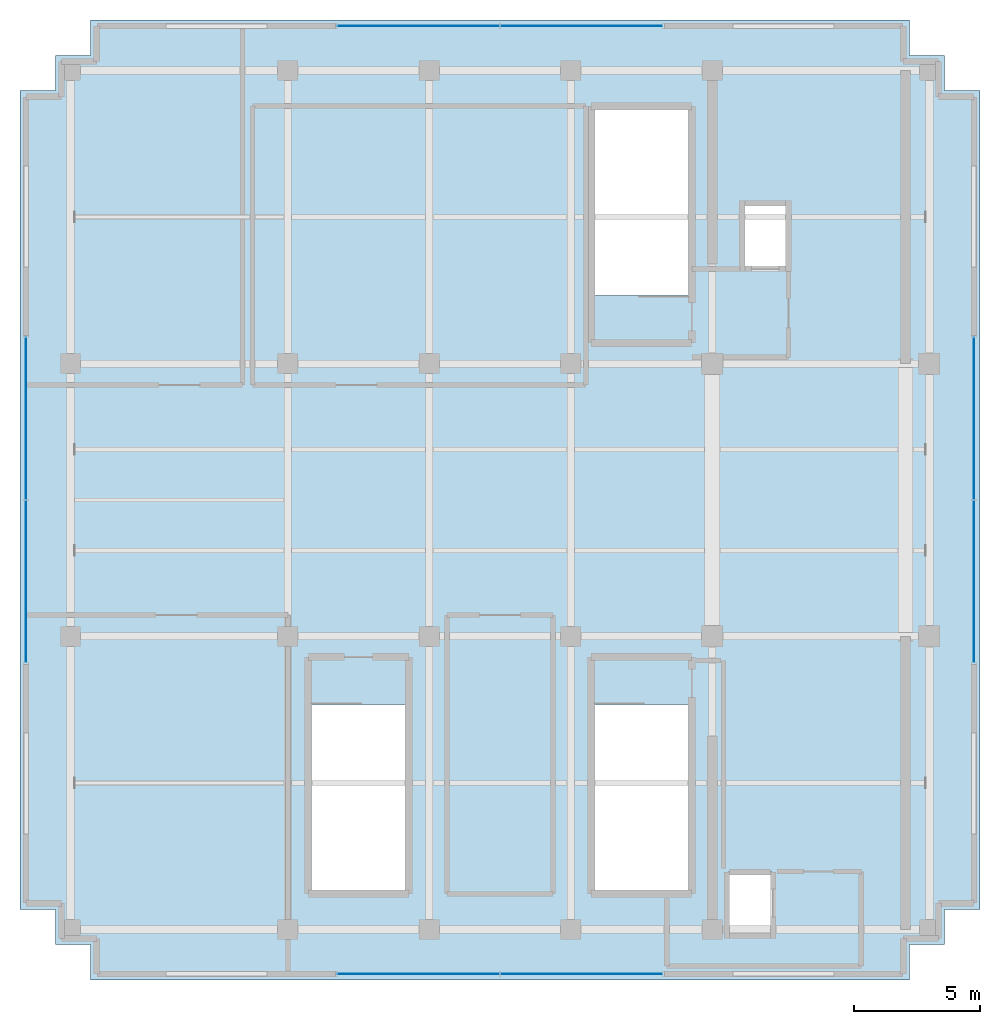
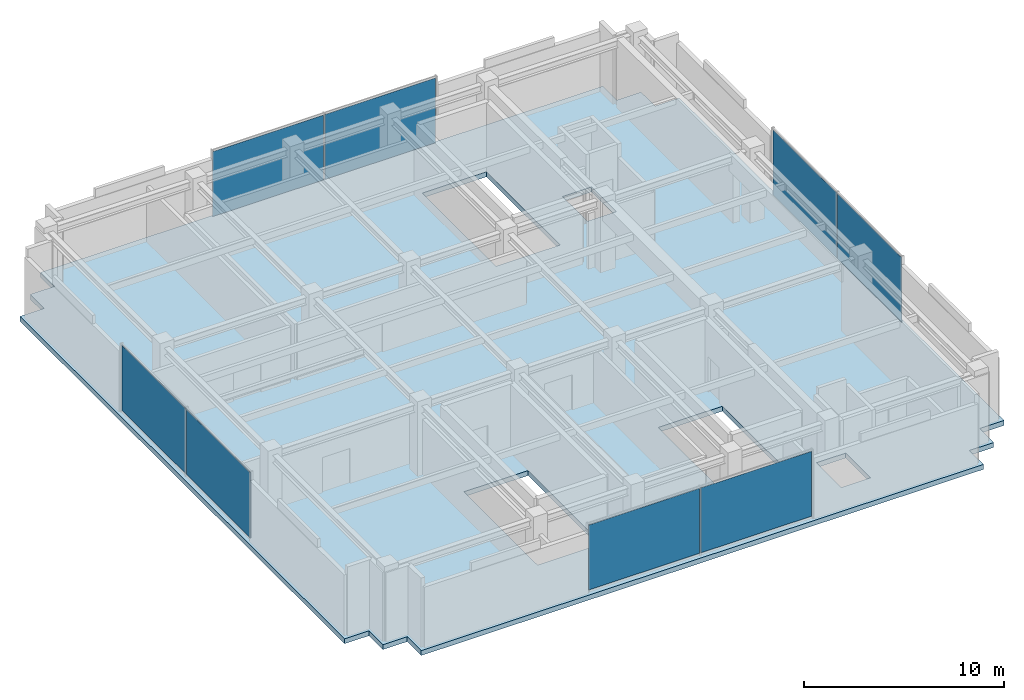
# One storey, part 16 of 21: 8 plates, 1 slab, 4 elements without a shape of their own.
"""IFC4 building model written with IfcOpenShell, lengths in metres."""

from ifc_helpers import new_model, si_unit, direction, frame, origin, origin_2d, place, context, subcontext, project, spatial, polyline, rectangle, outline, extrude, source, transform, mapped, material, layer, layer_set, type_object, element, aggregate, save


model = new_model("IFC4")

# Units and contexts
model_context = context("Model", 3, precision=1e-05, world=origin(), true_north=direction((0.0, 1.0)))
body_context = subcontext(model_context, "Body", "Model", "MODEL_VIEW")
ifc_project = project(units=[si_unit("LENGTHUNIT", "METRE"), si_unit("AREAUNIT", "SQUARE_METRE"), si_unit("VOLUMEUNIT", "CUBIC_METRE"), si_unit("PLANEANGLEUNIT", "RADIAN"), si_unit("MASSUNIT", "GRAM", prefix="KILO")], contexts=[model_context])

# Site, building, storey
site_placement = place(None, origin())
site = spatial("IfcSite", under=ifc_project, at=site_placement, CompositionType="ELEMENT")
building_placement = place(site_placement, origin())
building = spatial("IfcBuilding", under=site, at=building_placement, Name="Nahalor Promenade Grand Hotel", CompositionType="ELEMENT")
storey_placement = place(building_placement, frame((0.0, 0.0, 370.85009765625)))
storey = spatial("IfcBuildingStorey", under=building, at=storey_placement, Name="L94", CompositionType="ELEMENT", Elevation=370.85009765625)

# Slab
ifc_material_1 = material(Name="Concrete B-50 (C40/50)", Category="concrete")
ifc_layer_1 = layer(ifc_material_1, 0.300048828125)
ifc_layer_set_1 = layer_set([ifc_layer_1], Name="Concrete B-50 (C40/50)")
slab_type = type_object("IfcSlabType", Name="Slab-TowerZ5-300", PredefinedType="FLOOR", material=ifc_layer_set_1)
slab_placement = place(storey_placement, frame((0.0, 0.0, -0.300048828125)))
element("IfcSlab", 1, at=slab_placement, inside=storey, type_object=slab_type, Name="L94 Suspended Structural Floor Slab", PredefinedType="FLOOR", context=body_context, shape_type="SweptSolid", body=[
    extrude(outline(polyline([(-16.199951171875, -19.0), (16.199951171875, -19.0), (16.199951171875, -17.60009765625), (17.60009765625, -17.60009765625), (17.60009765625, -16.199951171875), (19.0, -16.199951171875), (19.0, 16.199951171875), (17.60009765625, 16.199951171875), (17.60009765625, 17.60009765625), (16.199951171875, 17.60009765625), (16.199951171875, 19.0), (-16.199951171875, 19.0), (-16.199951171875, 17.60009765625), (-17.60009765625, 17.60009765625), (-17.60009765625, 16.199951171875), (-19.0, 16.199951171875), (-19.0, -16.199951171875), (-17.60009765625, -16.199951171875), (-17.60009765625, -17.60009765625), (-16.199951171875, -17.60009765625), (-16.199951171875, -19.0)]), holes=[polyline([(3.75, 8.10009765625), (7.449951171875, 8.10009765625), (7.449951171875, 15.449951171875), (3.75, 15.449951171875), (3.75, 8.10009765625)]), polyline([(3.75, -15.449951171875), (7.449951171875, -15.449951171875), (7.449951171875, -8.10009765625), (3.75, -8.10009765625), (3.75, -15.449951171875)]), polyline([(-7.449951171875, -15.449951171875), (-3.75, -15.449951171875), (-3.75, -8.10009765625), (-7.449951171875, -8.10009765625), (-7.449951171875, -15.449951171875)]), polyline([(9.659912109375, 9.2099609375), (11.340087890625, 9.2099609375), (11.340087890625, 11.68994140625), (9.659912109375, 11.68994140625), (9.659912109375, 9.2099609375)]), polyline([(9.06005859375, -17.18994140625), (10.739990234375, -17.18994140625), (10.739990234375, -14.7099609375), (9.06005859375, -14.7099609375), (9.06005859375, -17.18994140625)])]), origin(), (0.0, 0.0, 1.0), 0.300048828125),
])

# Curtain wall, plates
ifc_material_2 = material(Name="Anodised Bronze Aluminium EN AW-6063 T6", Category="aluminium")
curtain_wall_type = type_object("IfcCurtainWallType", Name="CW6 Crown Botanical Conservatory Curtain Wall", PredefinedType="USERDEFINED", material=ifc_material_2)
curtain_wall_1_placement = place(storey_placement, origin())
curtain_wall_1 = element("IfcCurtainWall", 2, at=curtain_wall_1_placement, inside=storey, type_object=curtain_wall_type, Name="L94 Curtain Wall CW-L94-S", ObjectType="UNITISED_CURTAIN_WALL", PredefinedType="USERDEFINED")
ifc_material_3 = material(Name="Low-E Laminated Solar Glass", Category="glass")
ifc_layer_2 = layer(ifc_material_3, 0.033935546875)
ifc_layer_set_2 = layer_set([ifc_layer_2], Name="Low-E Laminated Solar Glass")
plate_type = type_object("IfcPlateType", Name="CWP6 Conservatory Solar-Select IGU 34mm", PredefinedType="CURTAIN_PANEL", material=ifc_layer_set_2)
shared_shape = source(origin(), body_context, "Body", "SweptSolid", [
    extrude(rectangle(XDim=6.387451171875, YDim=0.033935546875, at=origin_2d()), origin(), (0.0, 0.0, 1.0), 3.949951171875),
])
plate_1_placement = place(storey_placement, frame((-3.231201171875, -18.760009765625, 0.134765625), z_axis=(0.0, 0.0, 1.0), x_axis=(1.0, 0.0, 0.0)))
plate_1 = element("IfcPlate", 3, at=plate_1_placement, type_object=plate_type, Name="CW-L94-S Glazing Panel 0-0", PredefinedType="CURTAIN_PANEL", context=body_context, shape_type="MappedRepresentation", body=[
    mapped(shared_shape, transform((0.0, 0.0, 0.0), scale=1.0)),
])
plate_2_placement = place(storey_placement, frame((3.231201171875, -18.760009765625, 0.134765625), z_axis=(0.0, 0.0, 1.0), x_axis=(1.0, 0.0, 0.0)))
plate_2 = element("IfcPlate", 4, at=plate_2_placement, type_object=plate_type, Name="CW-L94-S Glazing Panel 1-0", PredefinedType="CURTAIN_PANEL", context=body_context, shape_type="MappedRepresentation", body=[
    mapped(shared_shape, transform((0.0, 0.0, 0.0), scale=1.0)),
])
aggregate(curtain_wall_1, [plate_1, plate_2])

curtain_wall_2_placement = place(storey_placement, origin())
curtain_wall_2 = element("IfcCurtainWall", 5, at=curtain_wall_2_placement, inside=storey, type_object=curtain_wall_type, Name="L94 Curtain Wall CW-L94-N", ObjectType="UNITISED_CURTAIN_WALL", PredefinedType="USERDEFINED")
plate_3_placement = place(storey_placement, frame((-3.231201171875, 18.760009765625, 0.134765625), z_axis=(0.0, 0.0, 1.0), x_axis=(1.0, 0.0, 0.0)))
plate_3 = element("IfcPlate", 6, at=plate_3_placement, type_object=plate_type, Name="CW-L94-N Glazing Panel 0-0", PredefinedType="CURTAIN_PANEL", context=body_context, shape_type="MappedRepresentation", body=[
    mapped(shared_shape, transform((0.0, 0.0, 0.0), scale=1.0)),
])
plate_4_placement = place(storey_placement, frame((3.231201171875, 18.760009765625, 0.134765625), z_axis=(0.0, 0.0, 1.0), x_axis=(1.0, 0.0, 0.0)))
plate_4 = element("IfcPlate", 7, at=plate_4_placement, type_object=plate_type, Name="CW-L94-N Glazing Panel 1-0", PredefinedType="CURTAIN_PANEL", context=body_context, shape_type="MappedRepresentation", body=[
    mapped(shared_shape, transform((0.0, 0.0, 0.0), scale=1.0)),
])
aggregate(curtain_wall_2, [plate_3, plate_4])

curtain_wall_3_placement = place(storey_placement, origin())
curtain_wall_3 = element("IfcCurtainWall", 8, at=curtain_wall_3_placement, inside=storey, type_object=curtain_wall_type, Name="L94 Curtain Wall CW-L94-W", ObjectType="UNITISED_CURTAIN_WALL", PredefinedType="USERDEFINED")
plate_5_placement = place(storey_placement, frame((-18.760009765625, -3.231201171875, 0.134765625), z_axis=(0.0, 0.0, 1.0), x_axis=(0.0, 1.0, 0.0)))
plate_5 = element("IfcPlate", 9, at=plate_5_placement, type_object=plate_type, Name="CW-L94-W Glazing Panel 0-0", PredefinedType="CURTAIN_PANEL", context=body_context, shape_type="MappedRepresentation", body=[
    mapped(shared_shape, transform((0.0, 0.0, 0.0), scale=1.0)),
])
plate_6_placement = place(storey_placement, frame((-18.760009765625, 3.231201171875, 0.134765625), z_axis=(0.0, 0.0, 1.0), x_axis=(0.0, 1.0, 0.0)))
plate_6 = element("IfcPlate", 10, at=plate_6_placement, type_object=plate_type, Name="CW-L94-W Glazing Panel 1-0", PredefinedType="CURTAIN_PANEL", context=body_context, shape_type="MappedRepresentation", body=[
    mapped(shared_shape, transform((0.0, 0.0, 0.0), scale=1.0)),
])
aggregate(curtain_wall_3, [plate_5, plate_6])

curtain_wall_4_placement = place(storey_placement, origin())
curtain_wall_4 = element("IfcCurtainWall", 11, at=curtain_wall_4_placement, inside=storey, type_object=curtain_wall_type, Name="L94 Curtain Wall CW-L94-E", ObjectType="UNITISED_CURTAIN_WALL", PredefinedType="USERDEFINED")
plate_7_placement = place(storey_placement, frame((18.760009765625, -3.231201171875, 0.134765625), z_axis=(0.0, 0.0, 1.0), x_axis=(0.0, 1.0, 0.0)))
plate_7 = element("IfcPlate", 12, at=plate_7_placement, type_object=plate_type, Name="CW-L94-E Glazing Panel 0-0", PredefinedType="CURTAIN_PANEL", context=body_context, shape_type="MappedRepresentation", body=[
    mapped(shared_shape, transform((0.0, 0.0, 0.0), scale=1.0)),
])
plate_8_placement = place(storey_placement, frame((18.760009765625, 3.231201171875, 0.134765625), z_axis=(0.0, 0.0, 1.0), x_axis=(0.0, 1.0, 0.0)))
plate_8 = element("IfcPlate", 13, at=plate_8_placement, type_object=plate_type, Name="CW-L94-E Glazing Panel 1-0", PredefinedType="CURTAIN_PANEL", context=body_context, shape_type="MappedRepresentation", body=[
    mapped(shared_shape, transform((0.0, 0.0, 0.0), scale=1.0)),
])
aggregate(curtain_wall_4, [plate_7, plate_8])

save(model, "model.ifc")
